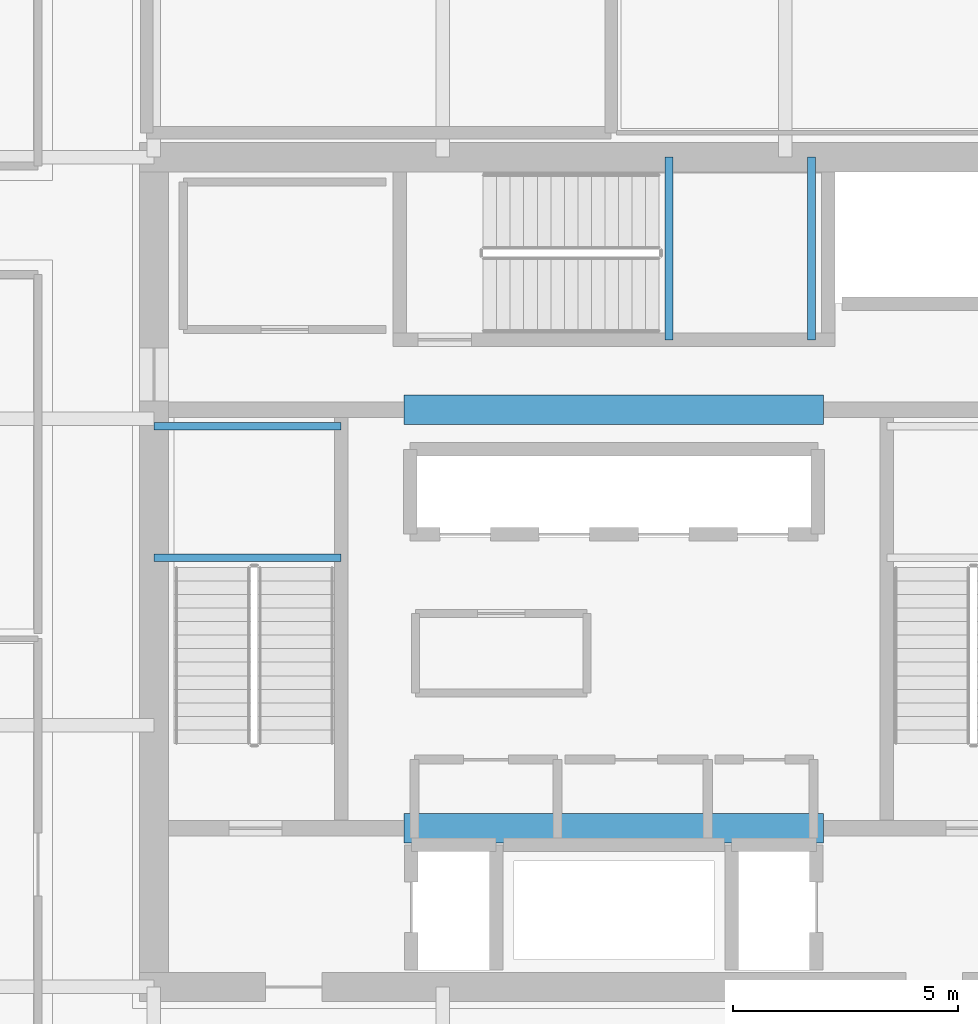
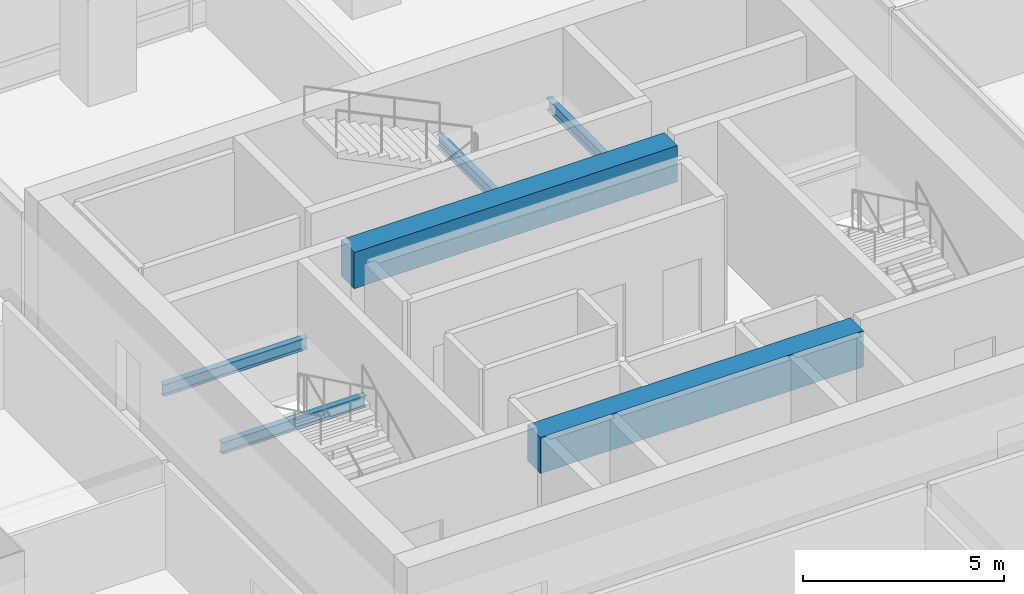
# One storey, part 12 of 36: 6 beams.
"""IFC4 building model written with IfcOpenShell, lengths in metres."""

from ifc_helpers import new_model, si_unit, direction, frame, origin, origin_2d, place, context, subcontext, project, spatial, rectangle, i_section, extrude, material, material_profile, profile_set, type_object, element, save


model = new_model("IFC4")

# Units and contexts
model_context = context("Model", 3, precision=1e-05, world=origin(), true_north=direction((0.0, 1.0)))
body_context = subcontext(model_context, "Body", "Model", "MODEL_VIEW")
ifc_project = project(units=[si_unit("LENGTHUNIT", "METRE"), si_unit("AREAUNIT", "SQUARE_METRE"), si_unit("VOLUMEUNIT", "CUBIC_METRE"), si_unit("PLANEANGLEUNIT", "RADIAN"), si_unit("MASSUNIT", "GRAM", prefix="KILO")], contexts=[model_context])

# Site, building, storey
site_placement = place(None, origin())
site = spatial("IfcSite", under=ifc_project, at=site_placement, CompositionType="ELEMENT")
building_placement = place(site_placement, origin())
building = spatial("IfcBuilding", under=site, at=building_placement, Name="Punatoya Terracotta Tower", CompositionType="ELEMENT")
storey_placement = place(building_placement, frame((0.0, 0.0, 176.25)))
storey = spatial("IfcBuildingStorey", under=building, at=storey_placement, Name="L41", CompositionType="ELEMENT", Elevation=176.25)

# Beams
ifc_material_1 = material(Name="Concrete C60/75", Category="concrete")
ifc_material_profile_1 = material_profile(ifc_material_1, rectangle(XDim=0.64990234375, YDim=1.10009765625, at=origin_2d()))
ifc_profile_set_1 = profile_set([ifc_material_profile_1], Name="Concrete C60/75")
beam_type_1 = type_object("IfcBeamType", Name="BM-RC-1100", PredefinedType="LINTEL", material=ifc_profile_set_1)
for number, where, z_axis, x_axis, name in (
    (1, (-4.64990234375, -5.679931640625, 3.280029296875), (1.0, 0.0, 0.0), (0.0, 1.0, 0.0), "L41 Core Coupling Lintel CSW"),
    (2, (-4.64990234375, 3.60009765625, 3.280029296875), (1.0, 0.0, 0.0), (0.0, 1.0, 0.0), "L41 Core Coupling Lintel CNW"),
):
    element("IfcBeam", number, at=place(storey_placement, frame(where, z_axis=z_axis, x_axis=x_axis)), inside=storey, type_object=beam_type_1, Name=name, PredefinedType="LINTEL", context=body_context, shape_type="SweptSolid", body=[
        extrude(rectangle(XDim=0.64990234375, YDim=1.10009765625, at=origin_2d()), origin(), (0.0, 0.0, 1.0), 9.2998046875),
    ])
ifc_material_2 = material(Name="Steel S355", Category="steel")
ifc_material_profile_2 = material_profile(ifc_material_2, i_section(OverallWidth=0.169921875, OverallDepth=0.360107421875, WebThickness=0.008056640625, FlangeThickness=0.0126953125, FilletRadius=0.01806640625, at=origin_2d()))
ifc_profile_set_2 = profile_set([ifc_material_profile_2], Name="Steel S355")
beam_type_2 = type_object("IfcBeamType", Name="BM-SEC-360", PredefinedType="JOIST", material=ifc_profile_set_2)
for number, where, z_axis, x_axis, name in (
    (3, (-10.199951171875, 0.320068359375, 1.64501953125), (1.0, 0.0, 0.0), (0.0, 1.0, 0.0), "BM-L41-ST-1-LD1A"),
    (4, (-10.199951171875, 3.22998046875, 1.64501953125), (1.0, 0.0, 0.0), (0.0, 1.0, 0.0), "BM-L41-ST-1-LD1B"),
):
    element("IfcBeam", number, at=place(storey_placement, frame(where, z_axis=z_axis, x_axis=x_axis)), inside=storey, type_object=beam_type_2, Name=name, PredefinedType="JOIST", context=body_context, shape_type="SweptSolid", body=[
        extrude(i_section(OverallWidth=0.169921875, OverallDepth=0.360107421875, WebThickness=0.008056640625, FlangeThickness=0.0126953125, FilletRadius=0.01806640625, at=origin_2d()), origin(), (0.0, 0.0, 1.0), 4.14990234375),
    ])
for number, where, z_axis, x_axis, name in (
    (5, (1.219970703125, 5.14990234375, 1.64501953125), (0.0, 1.0, 0.0), (-1.0, 0.0, 0.0), "BM-L41-ST-3-LD1A"),
    (6, (4.3798828125, 5.14990234375, 1.64501953125), (0.0, 1.0, 0.0), (-1.0, 0.0, 0.0), "BM-L41-ST-3-LD1B"),
):
    element("IfcBeam", number, at=place(storey_placement, frame(where, z_axis=z_axis, x_axis=x_axis)), inside=storey, type_object=beam_type_2, Name=name, PredefinedType="JOIST", context=body_context, shape_type="SweptSolid", body=[
        extrude(i_section(OverallWidth=0.169921875, OverallDepth=0.360107421875, WebThickness=0.008056640625, FlangeThickness=0.0126953125, FilletRadius=0.01806640625, at=origin_2d()), origin(), (0.0, 0.0, 1.0), 4.050048828125),
    ])

save(model, "model.ifc")
